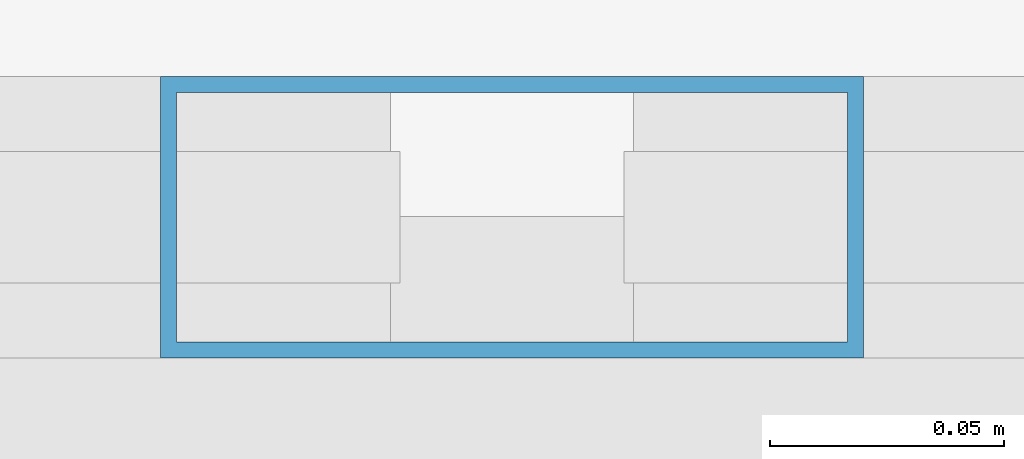
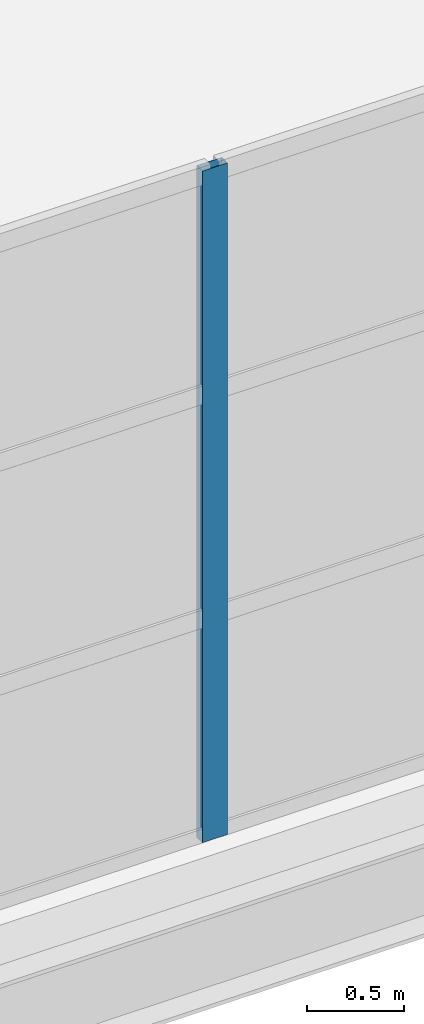
# One storey, part 80 of 134: 1 member, 1 element without a shape of its own.
"""IFC4 building model written with IfcOpenShell, lengths in metres."""

from ifc_helpers import new_model, si_unit, direction, frame, origin, origin_2d, place, context, subcontext, project, spatial, hollow_rectangle, extrude, material, layer, layer_set, material_profile, profile_set, type_object, element, aggregate, save


model = new_model("IFC4")

# Units and contexts
model_context = context("Model", 3, precision=1e-05, world=origin(), true_north=direction((0.0, 1.0)))
body_context = subcontext(model_context, "Body", "Model", "MODEL_VIEW")
ifc_project = project(units=[si_unit("LENGTHUNIT", "METRE"), si_unit("AREAUNIT", "SQUARE_METRE"), si_unit("VOLUMEUNIT", "CUBIC_METRE"), si_unit("PLANEANGLEUNIT", "RADIAN"), si_unit("MASSUNIT", "GRAM", prefix="KILO")], contexts=[model_context])

# Site, building, storey
site_placement = place(None, origin())
site = spatial("IfcSite", under=ifc_project, at=site_placement, CompositionType="ELEMENT")
building_placement = place(site_placement, origin())
building = spatial("IfcBuilding", under=site, at=building_placement, Name="Tamarisk Ironworks Central Station", CompositionType="ELEMENT")
storey_placement = place(building_placement, frame((0.0, 0.0, 12.60009765625)))
storey = spatial("IfcBuildingStorey", under=building, at=storey_placement, Name="L02", CompositionType="ELEMENT", Elevation=12.60009765625)

# Curtain wall, member
ifc_material = material(Name="Anodized aluminium alloy 6063-T6", Category="aluminium")
ifc_layer = layer(ifc_material, 0.179931640625)
ifc_layer_set = layer_set([ifc_layer], Name="Anodized aluminium alloy 6063-T6")
curtain_wall_type = type_object("IfcCurtainWallType", Name="CW-17", PredefinedType="USERDEFINED", material=ifc_layer_set)
curtain_wall_placement = place(storey_placement, origin())
curtain_wall = element("IfcCurtainWall", 1, at=curtain_wall_placement, inside=storey, type_object=curtain_wall_type, Name="South-east annex L02 curtain wall 153", ObjectType="GLAZED CURTAIN WALL", PredefinedType="USERDEFINED")
ifc_material_profile = material_profile(ifc_material, hollow_rectangle(XDim=0.06005859375, YDim=0.14990234375, WallThickness=0.00341796875, at=origin_2d()), Name="ALUM 150x60")
ifc_profile_set = profile_set([ifc_material_profile], Name="Anodized aluminium alloy 6063-T6")
member_type = type_object("IfcMemberType", Name="CWM-03", PredefinedType="MULLION", material=ifc_profile_set)
member_placement = place(storey_placement, frame((159.75, 0.14990234375, 0.0), z_axis=(0.0, 0.0, 1.0), x_axis=(0.0, 1.0, 0.0)))
member = element("IfcMember", 2, at=member_placement, type_object=member_type, Name="CW17 mullion 3", PredefinedType="MULLION", context=body_context, shape_type="SweptSolid", body=[
    extrude(hollow_rectangle(XDim=0.06005859375, YDim=0.14990234375, WallThickness=0.00341796875, at=origin_2d()), origin(), (0.0, 0.0, 1.0), 4.219970703125),
])
aggregate(curtain_wall, [member])

save(model, "model.ifc")
